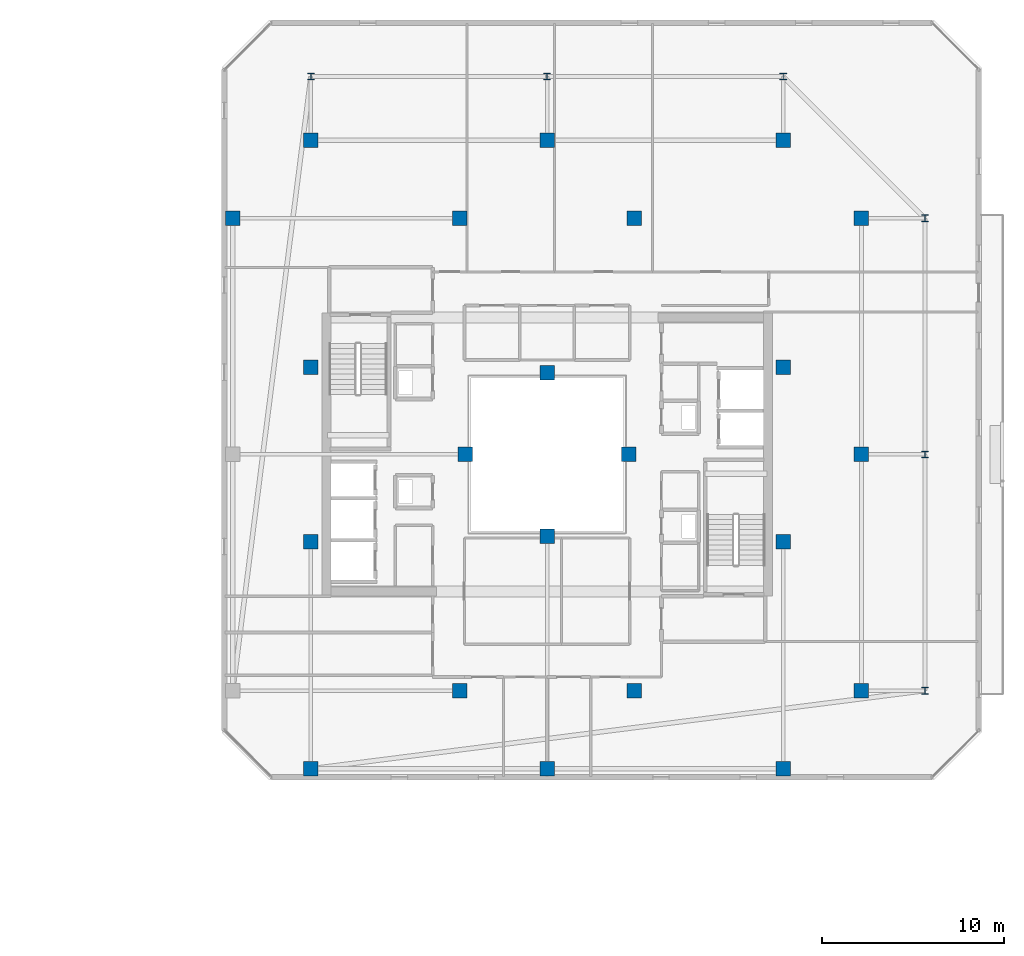
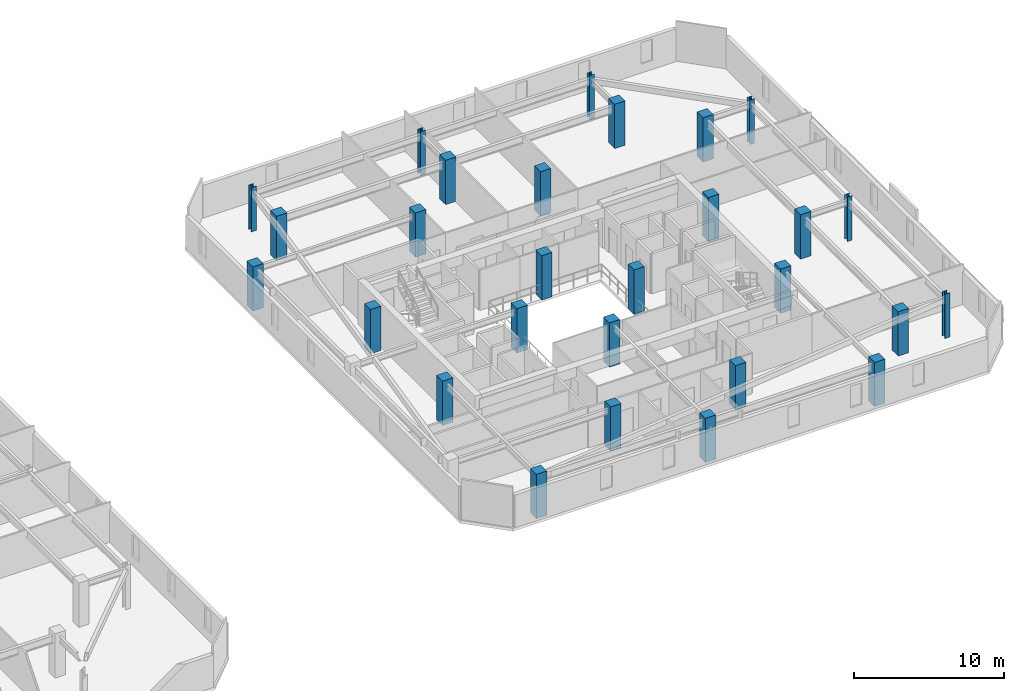
# One storey, part 4 of 35: 28 columns.
"""IFC4 building model written with IfcOpenShell, lengths in metres."""

from ifc_helpers import new_model, si_unit, direction, frame, origin, origin_2d, place, context, subcontext, project, spatial, rectangle, i_section, extrude, material, material_profile, profile_set, type_object, element, save


model = new_model("IFC4")

# Units and contexts
model_context = context("Model", 3, precision=1e-05, world=origin(), true_north=direction((0.0, 1.0)))
body_context = subcontext(model_context, "Body", "Model", "MODEL_VIEW")
ifc_project = project(units=[si_unit("LENGTHUNIT", "METRE"), si_unit("AREAUNIT", "SQUARE_METRE"), si_unit("VOLUMEUNIT", "CUBIC_METRE"), si_unit("PLANEANGLEUNIT", "RADIAN"), si_unit("MASSUNIT", "GRAM", prefix="KILO")], contexts=[model_context])

# Site, building, storey
site_placement = place(None, origin())
site = spatial("IfcSite", under=ifc_project, at=site_placement, CompositionType="ELEMENT")
building_placement = place(site_placement, origin())
building = spatial("IfcBuilding", under=site, at=building_placement, Name="Thornwick Lancets Civic Towers", CompositionType="ELEMENT")
storey_placement = place(building_placement, frame((0.0, 0.0, 276.300048828125)))
storey = spatial("IfcBuildingStorey", under=building, at=storey_placement, Name="L74", CompositionType="ELEMENT", Elevation=276.300048828125)

# Columns
ifc_material_1 = material(Name="Concrete C50/60", Category="concrete")
ifc_material_profile_1 = material_profile(ifc_material_1, rectangle(XDim=0.800048828125, YDim=0.800048828125, at=origin_2d()), Name="RC 800x800")
ifc_profile_set_1 = profile_set([ifc_material_profile_1], Name="Concrete C50/60")
column_type_1 = type_object("IfcColumnType", Name="COL_RC_800", PredefinedType="COLUMN", material=ifc_profile_set_1)
for number, where, z_axis, x_axis, name in (
    (1, (105.800048828125, 14.0, 0.0), (0.0, 0.0, 1.0), (1.0, 0.0, 0.0), "L74 Spine Mega-Column B01"),
    (2, (105.800048828125, 27.0, 0.0), (0.0, 0.0, 1.0), (1.0, 0.0, 0.0), "L74 Spine Mega-Column B02"),
    (3, (105.800048828125, 40.0, 0.0), (0.0, 0.0, 1.0), (1.0, 0.0, 0.0), "L74 Spine Mega-Column B03"),
    (4, (101.5, 44.300048828125, 0.0), (0.0, 0.0, 1.0), (1.0, 0.0, 0.0), "L74 Spine Mega-Column B04"),
    (5, (88.5, 44.300048828125, 0.0), (0.0, 0.0, 1.0), (1.0, 0.0, 0.0), "L74 Spine Mega-Column B05"),
    (6, (75.5, 44.300048828125, 0.0), (0.0, 0.0, 1.0), (1.0, 0.0, 0.0), "L74 Spine Mega-Column B06"),
    (7, (71.199951171875, 40.0, 0.0), (0.0, 0.0, 1.0), (1.0, 0.0, 0.0), "L74 Spine Mega-Column B09"),
    (8, (101.5, 9.699951171875, 0.0), (0.0, 0.0, 1.0), (1.0, 0.0, 0.0), "L74 Spine Mega-Column B10"),
    (9, (88.5, 9.699951171875, 0.0), (0.0, 0.0, 1.0), (1.0, 0.0, 0.0), "L74 Spine Mega-Column B11"),
    (10, (75.5, 9.699951171875, 0.0), (0.0, 0.0, 1.0), (1.0, 0.0, 0.0), "L74 Spine Mega-Column B12"),
    (11, (93.300048828125, 14.0, 0.0), (0.0, 0.0, 1.0), (1.0, 0.0, 0.0), "L74 Spine Mega-Column B13"),
    (12, (93.300048828125, 40.0, 0.0), (0.0, 0.0, 1.0), (1.0, 0.0, 0.0), "L74 Spine Mega-Column B14"),
    (13, (83.699951171875, 14.0, 0.0), (0.0, 0.0, 1.0), (1.0, 0.0, 0.0), "L74 Spine Mega-Column B15"),
    (14, (83.699951171875, 40.0, 0.0), (0.0, 0.0, 1.0), (1.0, 0.0, 0.0), "L74 Spine Mega-Column B16"),
    (15, (101.5, 22.199951171875, 0.0), (0.0, 0.0, 1.0), (1.0, 0.0, 0.0), "L74 Spine Mega-Column B17"),
    (16, (101.5, 31.800048828125, 0.0), (0.0, 0.0, 1.0), (1.0, 0.0, 0.0), "L74 Spine Mega-Column B18"),
    (17, (75.5, 22.199951171875, 0.0), (0.0, 0.0, 1.0), (1.0, 0.0, 0.0), "L74 Spine Mega-Column B19"),
    (18, (75.5, 31.800048828125, 0.0), (0.0, 0.0, 1.0), (1.0, 0.0, 0.0), "L74 Spine Mega-Column B20"),
    (19, (93.0, 27.0, 0.0), (0.0, 0.0, 1.0), (1.0, 0.0, 0.0), "L74 Spine Mega-Column B21"),
    (20, (84.0, 27.0, 0.0), (0.0, 0.0, 1.0), (1.0, 0.0, 0.0), "L74 Spine Mega-Column B22"),
    (21, (88.5, 22.5, 0.0), (0.0, 0.0, 1.0), (1.0, 0.0, 0.0), "L74 Spine Mega-Column B23"),
    (22, (88.5, 31.5, 0.0), (0.0, 0.0, 1.0), (1.0, 0.0, 0.0), "L74 Spine Mega-Column B24"),
):
    element("IfcColumn", number, at=place(storey_placement, frame(where, z_axis=z_axis, x_axis=x_axis)), inside=storey, type_object=column_type_1, Name=name, PredefinedType="COLUMN", context=body_context, shape_type="SweptSolid", body=[
        extrude(rectangle(XDim=0.800048828125, YDim=0.800048828125, at=origin_2d()), origin(), (0.0, 0.0, 1.0), 3.599853515625),
    ])
ifc_material_2 = material(Name="Steel S355JR", Category="steel")
ifc_material_profile_2 = material_profile(ifc_material_2, i_section(OverallWidth=0.374755859375, OverallDepth=0.37451171875, WebThickness=0.0166015625, FlangeThickness=0.027099609375, FilletRadius=0.01513671875, at=origin_2d()), Name="UKC 356x368x202")
ifc_profile_set_2 = profile_set([ifc_material_profile_2], Name="Steel S355JR")
column_type_2 = type_object("IfcColumnType", Name="COL_UKC_202", PredefinedType="COLUMN", material=ifc_profile_set_2)
for number, where, z_axis, x_axis, name in (
    (23, (109.300048828125, 14.0, 0.0), (0.0, 0.0, 1.0), (1.0, 0.0, 0.0), "L74 Block Perimeter Column B01"),
    (24, (109.300048828125, 27.0, 0.0), (0.0, 0.0, 1.0), (1.0, 0.0, 0.0), "L74 Block Perimeter Column B02"),
    (25, (109.300048828125, 40.0, 0.0), (0.0, 0.0, 1.0), (1.0, 0.0, 0.0), "L74 Block Perimeter Column B03"),
    (26, (101.5, 47.800048828125, 0.0), (0.0, 0.0, 1.0), (1.0, 0.0, 0.0), "L74 Block Perimeter Column B04"),
    (27, (88.5, 47.800048828125, 0.0), (0.0, 0.0, 1.0), (1.0, 0.0, 0.0), "L74 Block Perimeter Column B05"),
    (28, (75.5, 47.800048828125, 0.0), (0.0, 0.0, 1.0), (1.0, 0.0, 0.0), "L74 Block Perimeter Column B06"),
):
    element("IfcColumn", number, at=place(storey_placement, frame(where, z_axis=z_axis, x_axis=x_axis)), inside=storey, type_object=column_type_2, Name=name, PredefinedType="COLUMN", context=body_context, shape_type="SweptSolid", body=[
        extrude(i_section(OverallWidth=0.374755859375, OverallDepth=0.37451171875, WebThickness=0.0166015625, FlangeThickness=0.027099609375, FilletRadius=0.01513671875, at=origin_2d()), origin(), (0.0, 0.0, 1.0), 3.599853515625),
    ])

save(model, "model.ifc")
